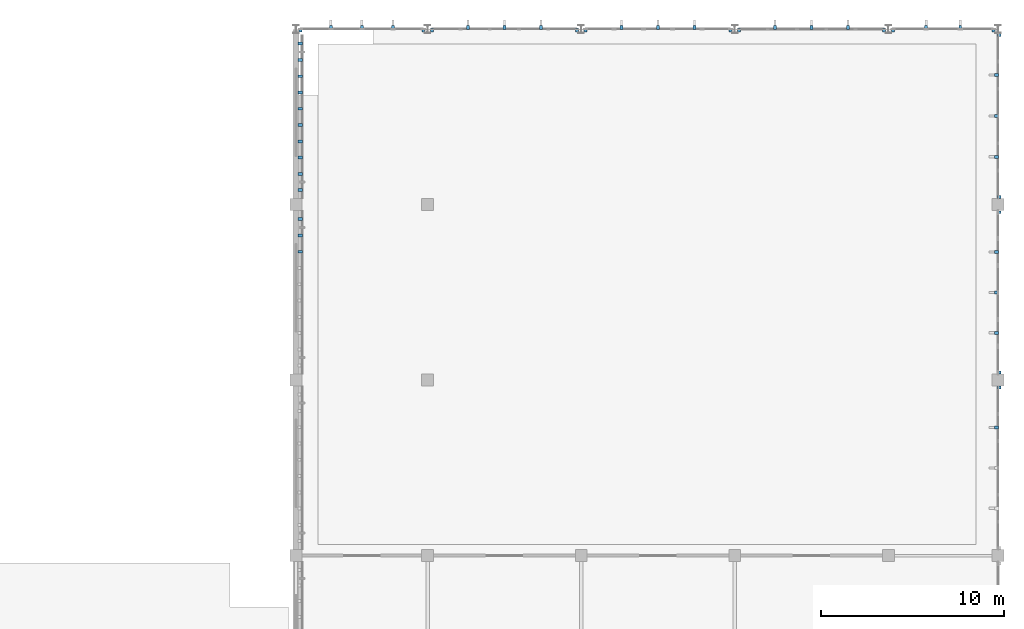
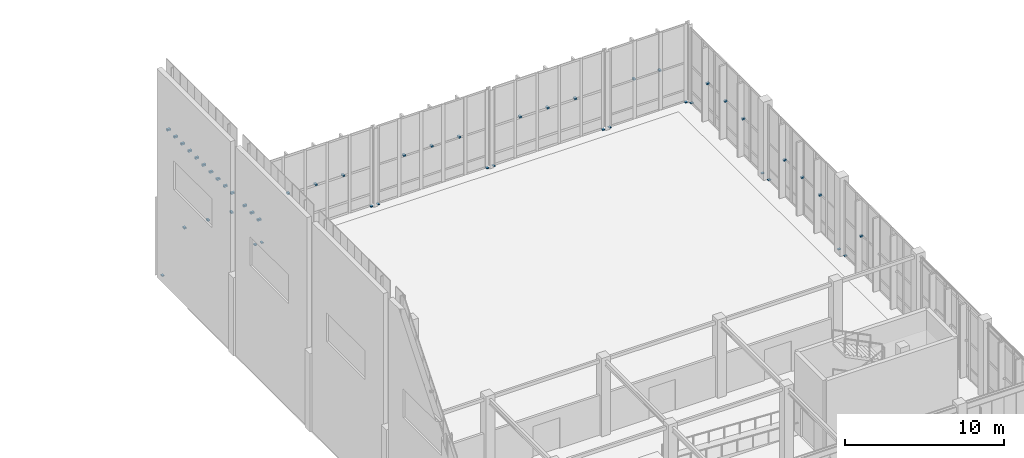
# One storey, part 93 of 110: 49 discrete accessories.
"""IFC4 building model written with IfcOpenShell, lengths in metres."""

import ifcopenshell
import ifcopenshell.guid

model = None  # the IFC model being written
_history = None  # IfcOwnerHistory: only IFC2X3 demands one
_inside = {}  # id of a spatial element -> (the spatial element, [elements in it])
_under = {}  # id of a project, library or spatial element -> (it, [spatial elements below it])
_declared = {}  # id of a project -> (the project, [libraries it declares])
_typed = {}  # id of a type object -> (the type object, [elements of that type])
_made_of = {}  # id of a material, layer set ... -> (it, [elements and type objects made of it])


def new_model(schema):
    """Start an empty IFC model of exactly this schema.

    Asked for "IFC4X3", IfcOpenShell would pick the latest addendum, in which some entities
    have other attributes; the version numbers below select the first issue.
    IFC2X3 requires an IfcOwnerHistory on every rooted entity: one is made here for all.
    """
    global model, _history
    if schema == "IFC4X3":
        model = ifcopenshell.file(schema_version=(4, 3, 0, 0))
    else:
        model = ifcopenshell.file(schema=schema)
    _inside.clear()
    _under.clear()
    _declared.clear()
    _typed.clear()
    _made_of.clear()
    _history = None
    if model.schema == "IFC2X3":
        org = make("IfcOrganization", Name="unknown")
        user = make(
            "IfcPersonAndOrganization",
            ThePerson=make("IfcPerson", FamilyName="unknown"),
            TheOrganization=org,
        )
        app = make(
            "IfcApplication",
            ApplicationDeveloper=org,
            Version="unknown",
            ApplicationFullName="unknown",
            ApplicationIdentifier="unknown",
        )
        _history = make(
            "IfcOwnerHistory",
            OwningUser=user,
            OwningApplication=app,
            ChangeAction="ADDED",
            CreationDate=0,
        )
    return model


def make(cls, **values):
    """One entity of the class cls with the attributes given. An attribute that is None is left unset."""
    return model.create_entity(
        cls, **{name: value for name, value in values.items() if value is not None}
    )


def rooted(cls, **values):
    """An entity with a GlobalId (a new one), such as an element, a storey or a relation."""
    return make(cls, GlobalId=ifcopenshell.guid.new(), OwnerHistory=_history, **values)


def si_unit(unit_type, name, prefix=None):
    """IfcSIUnit, for example si_unit("LENGTHUNIT", "METRE", prefix="MILLI")."""
    return make("IfcSIUnit", UnitType=unit_type, Prefix=prefix, Name=name)


def assignment(units):
    """IfcUnitAssignment: the units of a project."""
    return None if units is None else make("IfcUnitAssignment", Units=units)


def point(xyz):
    """IfcCartesianPoint."""
    return None if xyz is None else make("IfcCartesianPoint", Coordinates=xyz)


def direction(xyz):
    """IfcDirection."""
    return None if xyz is None else make("IfcDirection", DirectionRatios=xyz)


def frame(location, z_axis=None, x_axis=None):
    """IfcAxis2Placement3D, a coordinate frame: its origin and axes. An axis left out is left unset."""
    return make(
        "IfcAxis2Placement3D",
        Location=point(location),
        Axis=direction(z_axis),
        RefDirection=direction(x_axis),
    )


def frame_2d(location, x_axis=None):
    """IfcAxis2Placement2D, a coordinate frame in the plane: its origin and x axis."""
    return make(
        "IfcAxis2Placement2D", Location=point(location), RefDirection=direction(x_axis)
    )


def origin():
    """The frame at (0, 0, 0) with its axes left unset."""
    return frame((0.0, 0.0, 0.0))


def origin_2d():
    """The frame at (0, 0) in the plane with its x axis left unset."""
    return frame_2d((0.0, 0.0))


def place(relative_to, where):
    """IfcLocalPlacement: puts the frame where relative to a parent placement (None: the world)."""
    return make(
        "IfcLocalPlacement", PlacementRelTo=relative_to, RelativePlacement=where
    )


def context(
    kind, dimensions, precision=None, world=None, true_north=None, identifier=None
):
    """IfcGeometricRepresentationContext, for example the 3D "Model" context."""
    return make(
        "IfcGeometricRepresentationContext",
        ContextIdentifier=identifier,
        ContextType=kind,
        CoordinateSpaceDimension=dimensions,
        Precision=precision,
        WorldCoordinateSystem=world,
        TrueNorth=true_north,
    )


def subcontext(parent, identifier, kind, view, scale=None):
    """IfcGeometricRepresentationSubContext, for example "Body" below "Model"."""
    return make(
        "IfcGeometricRepresentationSubContext",
        ContextIdentifier=identifier,
        ContextType=kind,
        ParentContext=parent,
        TargetScale=scale,
        TargetView=view,
    )


def project(units=None, contexts=None):
    """IfcProject with its units and contexts."""
    return rooted(
        "IfcProject",
        Name="project",
        RepresentationContexts=contexts,
        UnitsInContext=assignment(units),
    )


def spatial(cls, under=None, at=None, **own):
    """A site, building, storey or space (cls), placed at a placement, below another one or the project."""
    s = rooted(cls, ObjectPlacement=at, **own)
    if under is not None:
        _under.setdefault(under.id(), (under, []))[1].append(s)
    return s


def profile(cls, at=None, kind="AREA", **sizes):
    """A parametric profile (cls). Its sizes go by their IFC names, for example OverallWidth=200.0."""
    return make(cls, ProfileType=kind, Position=at, **sizes)


def rectangle(**sizes):
    """IfcRectangleProfileDef."""
    return profile("IfcRectangleProfileDef", **sizes)


def extrude(swept, where, along, depth):
    """IfcExtrudedAreaSolid: the profile swept, set in the frame where, extruded along a direction by depth."""
    return make(
        "IfcExtrudedAreaSolid",
        SweptArea=swept,
        Position=where,
        ExtrudedDirection=direction(along),
        Depth=depth,
    )


def shape(context_of_items, identifier, shape_type, items):
    """IfcShapeRepresentation: the items that make up one representation, for example the "Body"."""
    return make(
        "IfcShapeRepresentation",
        ContextOfItems=context_of_items,
        RepresentationIdentifier=identifier,
        RepresentationType=shape_type,
        Items=items,
    )


def material(Name=None, Category=None):
    """IfcMaterial."""
    return make("IfcMaterial", Name=Name, Category=Category)


def made_of(thing, what):
    """Note that an element or type object is made of a material, layer set ...; save() writes the relation."""
    if what is not None:
        _made_of.setdefault(what.id(), (what, []))[1].append(thing)
    return thing


def type_object(cls, material=None, **own):
    """A type object (cls), such as IfcWallType, which elements share."""
    return made_of(rooted(cls, **own), material)


def element(
    cls,
    number,
    at=None,
    inside=None,
    cuts=None,
    type_object=None,
    material=None,
    context=None,
    identifier="Body",
    shape_type=None,
    held_by="IfcProductDefinitionShape",
    body=None,
    shapes=None,
    **own,
):
    """One element of the class cls, such as IfcWall. Its Tag is "e" and its number.

    at: its placement. inside: the storey or other place that contains it. cuts: it is an
    opening in that element (IfcRelVoidsElement). A single representation is given by context,
    identifier, shape_type and body (its items); several are given by shapes. held_by: the class
    of the entity that holds the representations. save() writes the other relations.
    """
    e = rooted(cls, Tag="e%d" % number, ObjectPlacement=at, **own)
    if body is not None:
        shapes = [shape(context, identifier, shape_type, body)]
    if shapes is not None:
        e.Representation = make(held_by, Representations=shapes)
    if inside is not None:
        _inside.setdefault(inside.id(), (inside, []))[1].append(e)
    if cuts is not None:
        rooted(
            "IfcRelVoidsElement", RelatingBuildingElement=cuts, RelatedOpeningElement=e
        )
    if type_object is not None:
        _typed.setdefault(type_object.id(), (type_object, []))[1].append(e)
    return made_of(e, material)


def aggregate(whole, parts):
    """IfcRelAggregates: a whole, such as a stair, and the parts it consists of."""
    return rooted("IfcRelAggregates", RelatingObject=whole, RelatedObjects=parts)


def save(model, path):
    """Write the relations noted so far, then the file.

    IfcRelAggregates (storeys below a building ...), IfcRelContainedInSpatialStructure (elements
    in a storey), IfcRelDefinesByType, IfcRelAssociatesMaterial and IfcRelDeclares: one each for
    every whole, place, type object, material and project.
    """
    for whole, parts in _under.values():
        aggregate(whole, parts)
    for where, things in _inside.values():
        rooted(
            "IfcRelContainedInSpatialStructure",
            RelatedElements=things,
            RelatingStructure=where,
        )
    for kind, things in _typed.values():
        rooted("IfcRelDefinesByType", RelatedObjects=things, RelatingType=kind)
    for what, things in _made_of.values():
        rooted("IfcRelAssociatesMaterial", RelatedObjects=things, RelatingMaterial=what)
    for by, libraries in _declared.values():
        rooted("IfcRelDeclares", RelatingContext=by, RelatedDefinitions=libraries)
    model.write(path)


model = new_model("IFC4")

# Units and contexts
model_context = context("Model", 3, precision=1e-05, world=origin(), true_north=direction((0.0, 1.0)))
body_context = subcontext(model_context, "Body", "Model", "MODEL_VIEW")
ifc_project = project(units=[si_unit("LENGTHUNIT", "METRE"), si_unit("AREAUNIT", "SQUARE_METRE"), si_unit("VOLUMEUNIT", "CUBIC_METRE"), si_unit("PLANEANGLEUNIT", "RADIAN"), si_unit("MASSUNIT", "GRAM", prefix="KILO")], contexts=[model_context])

# Site, building, storey
site_placement = place(None, origin())
site = spatial("IfcSite", under=ifc_project, at=site_placement, CompositionType="ELEMENT")
building_placement = place(site_placement, origin())
building = spatial("IfcBuilding", under=site, at=building_placement, Name="Tizgana Railside Sports Hall", CompositionType="ELEMENT")
storey_placement = place(building_placement, origin())
storey = spatial("IfcBuildingStorey", under=building, at=storey_placement, Name="L00", CompositionType="ELEMENT", Elevation=0.0)

# Discrete accessories
ifc_material = material(Name="Steel S355J2", Category="steel")
discrete_accessory_type = type_object("IfcDiscreteAccessoryType", Name="Stainless Facade Support Bracket", PredefinedType="BRACKET", material=ifc_material)
for number, where, z_axis, x_axis, name in (
    (1, (134.04248046875, 117.56005859375, -0.010009765625), (0.0, 0.0, 1.0), (1.0, 0.0, 0.0), "L00 Curtain Wall Base Bracket"),
    (2, (140.757568359375, 117.56005859375, -0.010009765625), (0.0, 0.0, 1.0), (1.0, 0.0, 0.0), "L00 Curtain Wall Base Bracket"),
):
    element("IfcDiscreteAccessory", number, at=place(storey_placement, frame(where, z_axis=z_axis, x_axis=x_axis)), inside=storey, type_object=discrete_accessory_type, Name=name, PredefinedType="BRACKET", context=body_context, shape_type="SweptSolid", body=[
        extrude(rectangle(XDim=0.159912109375, YDim=0.219970703125, at=origin_2d()), origin(), (0.0, 0.0, 1.0), 0.06494140625),
    ])
for number, where, z_axis, x_axis, name in (
    (3, (135.702392578125, 117.679931640625, 2.96240234375), (0.0, 0.0, 1.0), (1.0, 0.0, 0.0), "L00 Fin Bracket"),
    (4, (137.39990234375, 117.679931640625, 2.96240234375), (0.0, 0.0, 1.0), (1.0, 0.0, 0.0), "L00 Fin Bracket"),
    (5, (139.097412109375, 117.679931640625, 2.96240234375), (0.0, 0.0, 1.0), (1.0, 0.0, 0.0), "L00 Fin Bracket"),
):
    element("IfcDiscreteAccessory", number, at=place(storey_placement, frame(where, z_axis=z_axis, x_axis=x_axis)), inside=storey, type_object=discrete_accessory_type, Name=name, PredefinedType="BRACKET", context=body_context, shape_type="SweptSolid", body=[
        extrude(rectangle(XDim=0.159912109375, YDim=0.219970703125, at=origin_2d()), origin(), (0.0, 0.0, 1.0), 0.1201171875),
    ])
for number, where, z_axis, x_axis, name in (
    (6, (141.235107421875, 117.56005859375, -0.010009765625), (0.0, 0.0, 1.0), (1.0, 0.0, 0.0), "L00 Curtain Wall Base Bracket"),
    (7, (149.1650390625, 117.56005859375, -0.010009765625), (0.0, 0.0, 1.0), (1.0, 0.0, 0.0), "L00 Curtain Wall Base Bracket"),
):
    element("IfcDiscreteAccessory", number, at=place(storey_placement, frame(where, z_axis=z_axis, x_axis=x_axis)), inside=storey, type_object=discrete_accessory_type, Name=name, PredefinedType="BRACKET", context=body_context, shape_type="SweptSolid", body=[
        extrude(rectangle(XDim=0.159912109375, YDim=0.219970703125, at=origin_2d()), origin(), (0.0, 0.0, 1.0), 0.06494140625),
    ])
for number, where, z_axis, x_axis, name in (
    (8, (143.202392578125, 117.679931640625, 2.96240234375), (0.0, 0.0, 1.0), (1.0, 0.0, 0.0), "L00 Fin Bracket"),
    (9, (145.199951171875, 117.679931640625, 2.96240234375), (0.0, 0.0, 1.0), (1.0, 0.0, 0.0), "L00 Fin Bracket"),
    (10, (147.197509765625, 117.679931640625, 2.96240234375), (0.0, 0.0, 1.0), (1.0, 0.0, 0.0), "L00 Fin Bracket"),
):
    element("IfcDiscreteAccessory", number, at=place(storey_placement, frame(where, z_axis=z_axis, x_axis=x_axis)), inside=storey, type_object=discrete_accessory_type, Name=name, PredefinedType="BRACKET", context=body_context, shape_type="SweptSolid", body=[
        extrude(rectangle(XDim=0.159912109375, YDim=0.219970703125, at=origin_2d()), origin(), (0.0, 0.0, 1.0), 0.1201171875),
    ])
for number, where, z_axis, x_axis, name in (
    (11, (149.642578125, 117.56005859375, -0.010009765625), (0.0, 0.0, 1.0), (1.0, 0.0, 0.0), "L00 Curtain Wall Base Bracket"),
    (12, (157.5576171875, 117.56005859375, -0.010009765625), (0.0, 0.0, 1.0), (1.0, 0.0, 0.0), "L00 Curtain Wall Base Bracket"),
):
    element("IfcDiscreteAccessory", number, at=place(storey_placement, frame(where, z_axis=z_axis, x_axis=x_axis)), inside=storey, type_object=discrete_accessory_type, Name=name, PredefinedType="BRACKET", context=body_context, shape_type="SweptSolid", body=[
        extrude(rectangle(XDim=0.159912109375, YDim=0.219970703125, at=origin_2d()), origin(), (0.0, 0.0, 1.0), 0.06494140625),
    ])
for number, where, z_axis, x_axis, name in (
    (13, (151.6025390625, 117.679931640625, 2.96240234375), (0.0, 0.0, 1.0), (1.0, 0.0, 0.0), "L00 Fin Bracket"),
    (14, (153.60009765625, 117.679931640625, 2.96240234375), (0.0, 0.0, 1.0), (1.0, 0.0, 0.0), "L00 Fin Bracket"),
    (15, (155.597412109375, 117.679931640625, 2.96240234375), (0.0, 0.0, 1.0), (1.0, 0.0, 0.0), "L00 Fin Bracket"),
):
    element("IfcDiscreteAccessory", number, at=place(storey_placement, frame(where, z_axis=z_axis, x_axis=x_axis)), inside=storey, type_object=discrete_accessory_type, Name=name, PredefinedType="BRACKET", context=body_context, shape_type="SweptSolid", body=[
        extrude(rectangle(XDim=0.159912109375, YDim=0.219970703125, at=origin_2d()), origin(), (0.0, 0.0, 1.0), 0.1201171875),
    ])
for number, where, z_axis, x_axis, name in (
    (16, (158.034912109375, 117.56005859375, -0.010009765625), (0.0, 0.0, 1.0), (1.0, 0.0, 0.0), "L00 Curtain Wall Base Bracket"),
    (17, (165.965087890625, 117.56005859375, -0.010009765625), (0.0, 0.0, 1.0), (1.0, 0.0, 0.0), "L00 Curtain Wall Base Bracket"),
):
    element("IfcDiscreteAccessory", number, at=place(storey_placement, frame(where, z_axis=z_axis, x_axis=x_axis)), inside=storey, type_object=discrete_accessory_type, Name=name, PredefinedType="BRACKET", context=body_context, shape_type="SweptSolid", body=[
        extrude(rectangle(XDim=0.159912109375, YDim=0.219970703125, at=origin_2d()), origin(), (0.0, 0.0, 1.0), 0.06494140625),
    ])
for number, where, z_axis, x_axis, name in (
    (18, (160.00244140625, 117.679931640625, 2.96240234375), (0.0, 0.0, 1.0), (1.0, 0.0, 0.0), "L00 Fin Bracket"),
    (19, (162.0, 117.679931640625, 2.96240234375), (0.0, 0.0, 1.0), (1.0, 0.0, 0.0), "L00 Fin Bracket"),
    (20, (163.99755859375, 117.679931640625, 2.96240234375), (0.0, 0.0, 1.0), (1.0, 0.0, 0.0), "L00 Fin Bracket"),
):
    element("IfcDiscreteAccessory", number, at=place(storey_placement, frame(where, z_axis=z_axis, x_axis=x_axis)), inside=storey, type_object=discrete_accessory_type, Name=name, PredefinedType="BRACKET", context=body_context, shape_type="SweptSolid", body=[
        extrude(rectangle(XDim=0.159912109375, YDim=0.219970703125, at=origin_2d()), origin(), (0.0, 0.0, 1.0), 0.1201171875),
    ])
for number, where, z_axis, x_axis, name in (
    (21, (166.4423828125, 117.56005859375, -0.010009765625), (0.0, 0.0, 1.0), (1.0, 0.0, 0.0), "L00 Curtain Wall Base Bracket"),
    (22, (171.95751953125, 117.56005859375, -0.010009765625), (0.0, 0.0, 1.0), (1.0, 0.0, 0.0), "L00 Curtain Wall Base Bracket"),
):
    element("IfcDiscreteAccessory", number, at=place(storey_placement, frame(where, z_axis=z_axis, x_axis=x_axis)), inside=storey, type_object=discrete_accessory_type, Name=name, PredefinedType="BRACKET", context=body_context, shape_type="SweptSolid", body=[
        extrude(rectangle(XDim=0.159912109375, YDim=0.219970703125, at=origin_2d()), origin(), (0.0, 0.0, 1.0), 0.06494140625),
    ])
for number, where, z_axis, x_axis, name in (
    (23, (168.268310546875, 117.679931640625, 2.96240234375), (0.0, 0.0, 1.0), (1.0, 0.0, 0.0), "L00 Fin Bracket"),
    (24, (170.131591796875, 117.679931640625, 2.96240234375), (0.0, 0.0, 1.0), (1.0, 0.0, 0.0), "L00 Fin Bracket"),
):
    element("IfcDiscreteAccessory", number, at=place(storey_placement, frame(where, z_axis=z_axis, x_axis=x_axis)), inside=storey, type_object=discrete_accessory_type, Name=name, PredefinedType="BRACKET", context=body_context, shape_type="SweptSolid", body=[
        extrude(rectangle(XDim=0.159912109375, YDim=0.219970703125, at=origin_2d()), origin(), (0.0, 0.0, 1.0), 0.1201171875),
    ])
discrete_accessory_1_placement = place(storey_placement, frame((172.239990234375, 97.989990234375, -0.010009765625), z_axis=(0.0, 0.0, 1.0), x_axis=(0.0, 1.0, 0.0)))
element("IfcDiscreteAccessory", 25, at=discrete_accessory_1_placement, inside=storey, type_object=discrete_accessory_type, Name="L00 Curtain Wall Base Bracket", PredefinedType="BRACKET", context=body_context, shape_type="SweptSolid", body=[
    extrude(rectangle(XDim=0.159912109375, YDim=0.219970703125, at=origin_2d()), origin(), (0.0, 0.0, 1.0), 0.06494140625),
])
discrete_accessory_2_placement = place(storey_placement, frame((172.1201171875, 95.81005859375, 2.842529296875), z_axis=(0.0, 0.0, 1.0), x_axis=(0.0, 1.0, 0.0)))
element("IfcDiscreteAccessory", 26, at=discrete_accessory_2_placement, inside=storey, type_object=discrete_accessory_type, Name="L00 Fin Bracket", PredefinedType="BRACKET", context=body_context, shape_type="SweptSolid", body=[
    extrude(rectangle(XDim=0.159912109375, YDim=0.219970703125, at=origin_2d()), origin(), (0.0, 0.0, 1.0), 0.1201171875),
])
for number, where, z_axis, x_axis, name in (
    (27, (172.239990234375, 98.8173828125, -0.010009765625), (0.0, 0.0, 1.0), (0.0, 1.0, 0.0), "L00 Curtain Wall Base Bracket"),
    (28, (172.239990234375, 107.58251953125, -0.010009765625), (0.0, 0.0, 1.0), (0.0, 1.0, 0.0), "L00 Curtain Wall Base Bracket"),
):
    element("IfcDiscreteAccessory", number, at=place(storey_placement, frame(where, z_axis=z_axis, x_axis=x_axis)), inside=storey, type_object=discrete_accessory_type, Name=name, PredefinedType="BRACKET", context=body_context, shape_type="SweptSolid", body=[
        extrude(rectangle(XDim=0.159912109375, YDim=0.219970703125, at=origin_2d()), origin(), (0.0, 0.0, 1.0), 0.06494140625),
    ])
for number, where, z_axis, x_axis, name in (
    (29, (172.1201171875, 100.989990234375, 2.842529296875), (0.0, 0.0, 1.0), (0.0, 1.0, 0.0), "L00 Fin Bracket"),
    (30, (172.1201171875, 103.199951171875, 2.842529296875), (0.0, 0.0, 1.0), (0.0, 1.0, 0.0), "L00 Fin Bracket"),
    (31, (172.1201171875, 105.409912109375, 2.842529296875), (0.0, 0.0, 1.0), (0.0, 1.0, 0.0), "L00 Fin Bracket"),
):
    element("IfcDiscreteAccessory", number, at=place(storey_placement, frame(where, z_axis=z_axis, x_axis=x_axis)), inside=storey, type_object=discrete_accessory_type, Name=name, PredefinedType="BRACKET", context=body_context, shape_type="SweptSolid", body=[
        extrude(rectangle(XDim=0.159912109375, YDim=0.219970703125, at=origin_2d()), origin(), (0.0, 0.0, 1.0), 0.1201171875),
    ])
for number, where, z_axis, x_axis, name in (
    (32, (172.239990234375, 108.409912109375, -0.010009765625), (0.0, 0.0, 1.0), (0.0, 1.0, 0.0), "L00 Curtain Wall Base Bracket"),
    (33, (172.239990234375, 117.2900390625, -0.010009765625), (0.0, 0.0, 1.0), (0.0, 1.0, 0.0), "L00 Curtain Wall Base Bracket"),
):
    element("IfcDiscreteAccessory", number, at=place(storey_placement, frame(where, z_axis=z_axis, x_axis=x_axis)), inside=storey, type_object=discrete_accessory_type, Name=name, PredefinedType="BRACKET", context=body_context, shape_type="SweptSolid", body=[
        extrude(rectangle(XDim=0.159912109375, YDim=0.219970703125, at=origin_2d()), origin(), (0.0, 0.0, 1.0), 0.06494140625),
    ])
for number, where, z_axis, x_axis, name in (
    (34, (172.1201171875, 110.614990234375, 2.842529296875), (0.0, 0.0, 1.0), (0.0, 1.0, 0.0), "L00 Fin Bracket"),
    (35, (172.1201171875, 112.85009765625, 2.842529296875), (0.0, 0.0, 1.0), (0.0, 1.0, 0.0), "L00 Fin Bracket"),
    (36, (172.1201171875, 115.0849609375, 2.842529296875), (0.0, 0.0, 1.0), (0.0, 1.0, 0.0), "L00 Fin Bracket"),
):
    element("IfcDiscreteAccessory", number, at=place(storey_placement, frame(where, z_axis=z_axis, x_axis=x_axis)), inside=storey, type_object=discrete_accessory_type, Name=name, PredefinedType="BRACKET", context=body_context, shape_type="SweptSolid", body=[
        extrude(rectangle(XDim=0.159912109375, YDim=0.219970703125, at=origin_2d()), origin(), (0.0, 0.0, 1.0), 0.1201171875),
    ])
for number, where, z_axis, x_axis, name in (
    (37, (134.030029296875, 107.205078125, 11.580078125), (0.0, 0.0, 1.0), (0.0, -1.0, 0.0), "L00 Screen Bracket"),
    (38, (134.030029296875, 106.31494140625, 11.580078125), (0.0, 0.0, 1.0), (0.0, -1.0, 0.0), "L00 Screen Bracket"),
    (39, (134.030029296875, 105.425048828125, 11.580078125), (0.0, 0.0, 1.0), (0.0, -1.0, 0.0), "L00 Screen Bracket"),
    (40, (134.030029296875, 116.804931640625, 11.580078125), (0.0, 0.0, 1.0), (0.0, -1.0, 0.0), "L00 Screen Bracket"),
    (41, (134.030029296875, 115.9150390625, 11.580078125), (0.0, 0.0, 1.0), (0.0, -1.0, 0.0), "L00 Screen Bracket"),
    (42, (134.030029296875, 115.02490234375, 11.580078125), (0.0, 0.0, 1.0), (0.0, -1.0, 0.0), "L00 Screen Bracket"),
    (43, (134.030029296875, 114.135009765625, 11.580078125), (0.0, 0.0, 1.0), (0.0, -1.0, 0.0), "L00 Screen Bracket"),
    (44, (134.030029296875, 113.2451171875, 11.580078125), (0.0, 0.0, 1.0), (0.0, -1.0, 0.0), "L00 Screen Bracket"),
    (45, (134.030029296875, 112.35498046875, 11.580078125), (0.0, 0.0, 1.0), (0.0, -1.0, 0.0), "L00 Screen Bracket"),
    (46, (134.030029296875, 111.465087890625, 11.580078125), (0.0, 0.0, 1.0), (0.0, -1.0, 0.0), "L00 Screen Bracket"),
    (47, (134.030029296875, 110.574951171875, 11.580078125), (0.0, 0.0, 1.0), (0.0, -1.0, 0.0), "L00 Screen Bracket"),
    (48, (134.030029296875, 109.68505859375, 11.580078125), (0.0, 0.0, 1.0), (0.0, -1.0, 0.0), "L00 Screen Bracket"),
    (49, (134.030029296875, 108.794921875, 11.580078125), (0.0, 0.0, 1.0), (0.0, -1.0, 0.0), "L00 Screen Bracket"),
):
    element("IfcDiscreteAccessory", number, at=place(storey_placement, frame(where, z_axis=z_axis, x_axis=x_axis)), inside=storey, type_object=discrete_accessory_type, Name=name, PredefinedType="BRACKET", context=body_context, shape_type="SweptSolid", body=[
        extrude(rectangle(XDim=0.159912109375, YDim=0.25, at=origin_2d()), origin(), (0.0, 0.0, 1.0), 0.139892578125),
    ])

save(model, "model.ifc")
